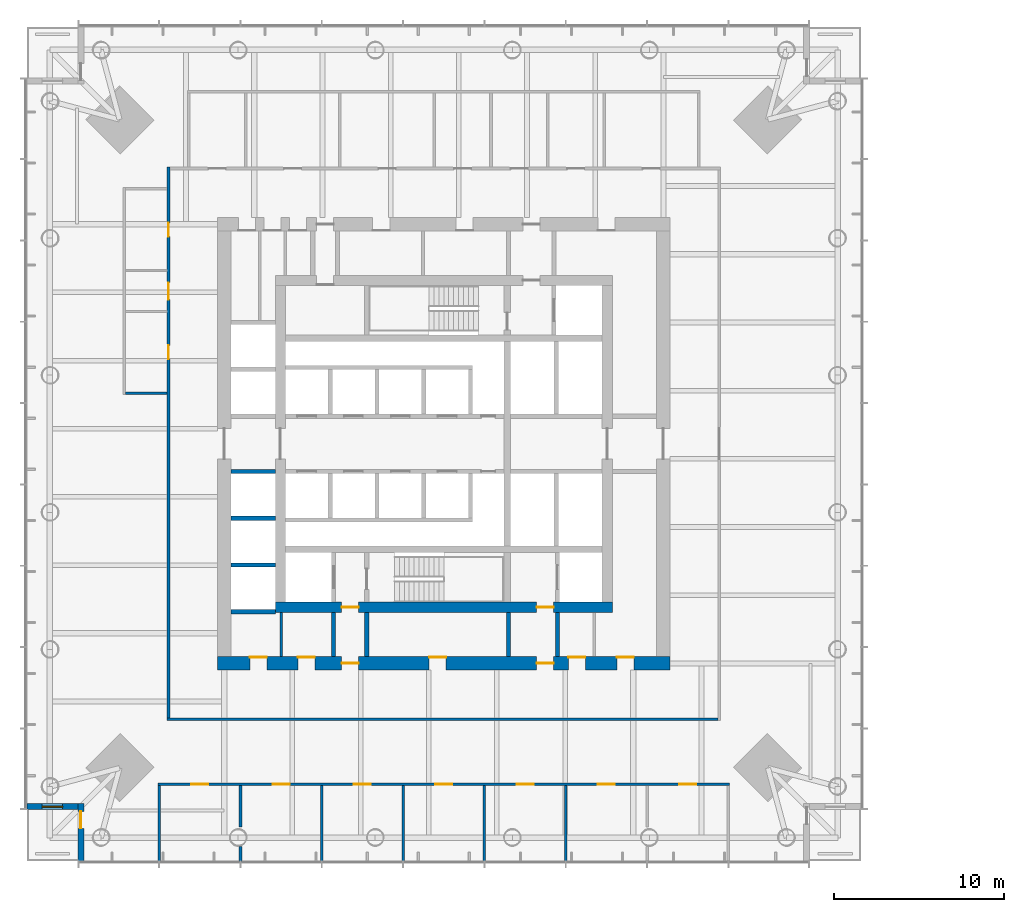
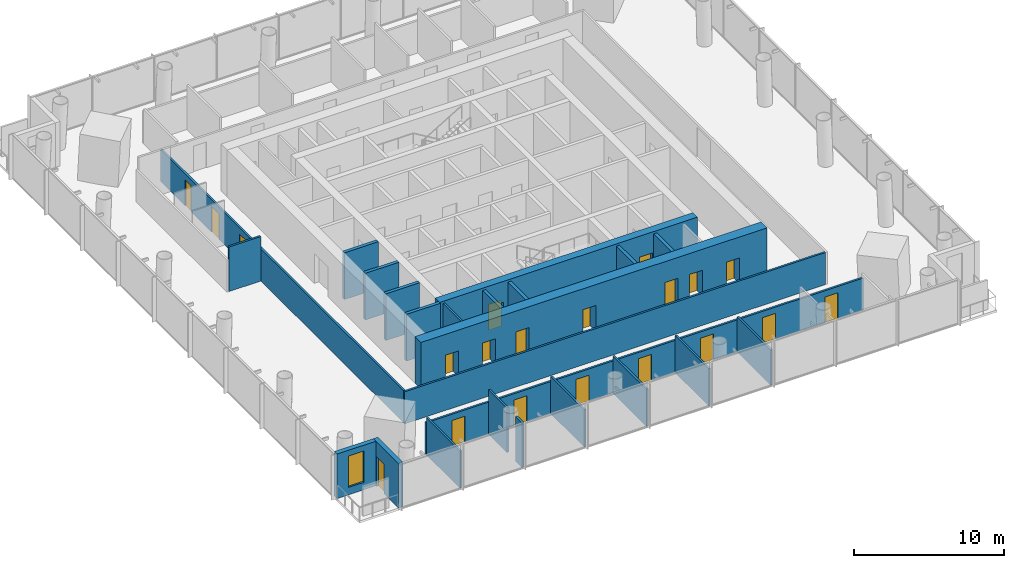
# One storey, part 10 of 21: 24 walls, 20 doors, 1 window, 21 openings.
"""IFC4 building model written with IfcOpenShell, lengths in metres."""

from ifc_helpers import new_model, si_unit, direction, frame, frame_2d, origin, place, context, subcontext, project, spatial, rectangle, extrude, material, layer, layer_set, type_object, element, fill, save


model = new_model("IFC4")

# Units and contexts
model_context = context("Model", 3, precision=1e-05, world=origin(), true_north=direction((0.0, 1.0)))
body_context = subcontext(model_context, "Body", "Model", "MODEL_VIEW")
ifc_project = project(units=[si_unit("LENGTHUNIT", "METRE"), si_unit("AREAUNIT", "SQUARE_METRE"), si_unit("VOLUMEUNIT", "CUBIC_METRE"), si_unit("PLANEANGLEUNIT", "RADIAN"), si_unit("MASSUNIT", "GRAM", prefix="KILO")], contexts=[model_context])

# Site, building, storey
site_placement = place(None, origin())
site = spatial("IfcSite", under=ifc_project, at=site_placement, CompositionType="ELEMENT")
building_placement = place(site_placement, origin())
building = spatial("IfcBuilding", under=site, at=building_placement, Name="Ostroluk Exchange", CompositionType="ELEMENT")
storey_placement = place(building_placement, frame((0.0, 0.0, 47.60009765625)))
storey = spatial("IfcBuildingStorey", under=building, at=storey_placement, Name="L11", CompositionType="ELEMENT", Elevation=47.60009765625)

# Walls
ifc_material_1 = material(Name="Concrete blockwork", Category="masonry")
ifc_layer_1 = layer(ifc_material_1, 0.14990234375)
ifc_layer_set_1 = layer_set([ifc_layer_1], Name="Blockwork plant room wall 150")
wall_type_1 = type_object("IfcWallType", Name="Blockwork plant room wall 150", PredefinedType="SOLIDWALL", material=ifc_layer_set_1)
wall_1_placement = place(storey_placement, frame((35.449951171875, 33.5, 0.0), z_axis=(0.0, 0.0, 1.0), x_axis=(0.0, 1.0, 0.0)))
element("IfcWall", 1, at=wall_1_placement, inside=storey, type_object=wall_type_1, Name="Core room wall", PredefinedType="SOLIDWALL", context=body_context, shape_type="SweptSolid", body=[
    extrude(rectangle(XDim=2.60009765625, YDim=0.14990234375, at=frame_2d((1.300048828125, 0.0))), origin(), (0.0, 0.0, 1.0), 3.619873046875),
])
ifc_material_2 = material(Name="Concrete blockwork", Category="masonry")
ifc_layer_2 = layer(ifc_material_2, 0.25)
ifc_layer_set_2 = layer_set([ifc_layer_2], Name="Blockwork stair enclosure wall 250")
wall_type_2 = type_object("IfcWallType", Name="Blockwork stair enclosure wall 250", PredefinedType="SOLIDWALL", material=ifc_layer_set_2)
for number, where, z_axis, x_axis, name in (
    (2, (38.52490234375, 33.5, 0.0), (0.0, 0.0, 1.0), (0.0, 1.0, 0.0), "Fire lobby enclosure wall"),
    (3, (40.47509765625, 33.5, 0.0), (0.0, 0.0, 1.0), (0.0, 1.0, 0.0), "Fire lobby enclosure wall"),
    (4, (48.804931640625, 33.5, 0.0), (0.0, 0.0, 1.0), (0.0, 1.0, 0.0), "Service lobby enclosure wall"),
    (5, (51.675048828125, 33.5, 0.0), (0.0, 0.0, 1.0), (0.0, 1.0, 0.0), "Service lobby enclosure wall"),
):
    element("IfcWall", number, at=place(storey_placement, frame(where, z_axis=z_axis, x_axis=x_axis)), inside=storey, type_object=wall_type_2, Name=name, PredefinedType="SOLIDWALL", context=body_context, shape_type="SweptSolid", body=[
        extrude(rectangle(XDim=2.60009765625, YDim=0.25, at=frame_2d((1.300048828125, 0.0))), origin(), (0.0, 0.0, 1.0), 3.619873046875),
    ])
ifc_material_3 = material(Name="Concrete C40/50", Category="concrete")
ifc_layer_3 = layer(ifc_material_3, 0.25)
ifc_layer_set_3 = layer_set([ifc_layer_3], Name="Core shaft wall 250")
wall_type_3 = type_object("IfcWallType", Name="Core shaft wall 250", PredefinedType="SHEAR", material=ifc_layer_set_3)
for number, where, z_axis, x_axis, name in (
    (6, (32.5, 36.125, 0.0), (0.0, 0.0, 1.0), (1.0, 0.0, 0.0), "Lift shaft wall"),
    (7, (32.5, 38.875, 0.0), (0.0, 0.0, 1.0), (1.0, 0.0, 0.0), "Lift shaft wall"),
    (8, (32.5, 41.625, 0.0), (0.0, 0.0, 1.0), (1.0, 0.0, 0.0), "Lift shaft wall"),
    (9, (32.5, 44.375, 0.0), (0.0, 0.0, 1.0), (1.0, 0.0, 0.0), "Lift shaft wall"),
):
    element("IfcWall", number, at=place(storey_placement, frame(where, z_axis=z_axis, x_axis=x_axis)), inside=storey, type_object=wall_type_3, Name=name, PredefinedType="SHEAR", context=body_context, shape_type="SweptSolid", body=[
        extrude(rectangle(XDim=2.60009765625, YDim=0.25, at=frame_2d((1.300048828125, 0.0))), origin(), (0.0, 0.0, 1.0), 3.7998046875),
    ])

# Wall, openings, doors
ifc_material_4 = material(Name="Concrete C50/60", Category="concrete")
ifc_layer_4 = layer(ifc_material_4, 0.60009765625)
ifc_layer_set_4 = layer_set([ifc_layer_4], Name="Core wall 600 C50/60")
wall_type_4 = type_object("IfcWallType", Name="Core wall 600 C50/60", PredefinedType="SHEAR", material=ifc_layer_set_4)
wall_2_placement = place(storey_placement, frame((35.10009765625, 36.39990234375, 0.0), z_axis=(0.0, 0.0, 1.0), x_axis=(1.0, 0.0, 0.0)))
wall_2 = element("IfcWall", 10, at=wall_2_placement, inside=storey, type_object=wall_type_4, Name="T1 core wall S", PredefinedType="SHEAR", context=body_context, shape_type="SweptSolid", body=[
    extrude(rectangle(XDim=19.7998046875, YDim=0.60009765625, at=frame_2d((9.89990234375, 0.0))), origin(), (0.0, 0.0, 1.0), 3.7998046875),
])
opening_1_placement = place(wall_2_placement, frame((3.89990234375, 0.0, 0.0)))
opening_1 = element("IfcOpeningElement", 11, at=opening_1_placement, cuts=wall_2, Name="Opening FD60", PredefinedType="OPENING", context=body_context, shape_type="SweptSolid", body=[
    extrude(rectangle(XDim=1.0, YDim=2.10009765625, at=frame_2d((0.5, 1.050048828125))), frame((0.0, 0.31005859375, 0.0), z_axis=(0.0, -1.0, 0.0), x_axis=(1.0, 0.0, 0.0)), (0.0, 0.0, 1.0), 0.6201171875),
])
opening_2_placement = place(wall_2_placement, frame((15.35009765625, 0.0, 0.0)))
opening_2 = element("IfcOpeningElement", 12, at=opening_2_placement, cuts=wall_2, Name="Opening FD60", PredefinedType="OPENING", context=body_context, shape_type="SweptSolid", body=[
    extrude(rectangle(XDim=1.0, YDim=2.10009765625, at=frame_2d((0.5, 1.050048828125))), frame((0.0, 0.31005859375, 0.0), z_axis=(0.0, -1.0, 0.0), x_axis=(1.0, 0.0, 0.0)), (0.0, 0.0, 1.0), 0.6201171875),
])
ifc_material_5 = material(Name="Steel", Category="steel")
door_type_1 = type_object("IfcDoorType", Name="Fire door EI 60 1000 x 2100", OperationType="SINGLE_SWING_LEFT", PredefinedType="DOOR", material=ifc_material_5)
door_1_placement = place(opening_1_placement, origin())
door_1 = element("IfcDoor", 13, at=door_1_placement, inside=storey, type_object=door_type_1, Name="Firefighting lobby door", OperationType="SINGLE_SWING_LEFT", OverallHeight=2.10009765625, OverallWidth=1.0, PredefinedType="DOOR", context=body_context, shape_type="SweptSolid", body=[
    extrude(rectangle(XDim=1.0, YDim=2.10009765625, at=frame_2d((0.5, 1.050048828125))), frame((0.0, 0.02490234375, 0.0), z_axis=(0.0, -1.0, 0.0), x_axis=(1.0, 0.0, 0.0)), (0.0, 0.0, 1.0), 0.050048828125),
])
fill(opening_1, door_1)
door_2_placement = place(opening_2_placement, origin())
door_2 = element("IfcDoor", 14, at=door_2_placement, inside=storey, type_object=door_type_1, Name="Service lobby door", OperationType="SINGLE_SWING_RIGHT", OverallHeight=2.10009765625, OverallWidth=1.0, PredefinedType="DOOR", context=body_context, shape_type="SweptSolid", body=[
    extrude(rectangle(XDim=1.0, YDim=2.10009765625, at=frame_2d((0.5, 1.050048828125))), frame((0.0, 0.02490234375, 0.0), z_axis=(0.0, -1.0, 0.0), x_axis=(1.0, 0.0, 0.0)), (0.0, 0.0, 1.0), 0.050048828125),
])
fill(opening_2, door_2)

ifc_material_6 = material(Name="Concrete C50/60", Category="concrete")
ifc_layer_5 = layer(ifc_material_6, 0.800048828125)
ifc_layer_set_5 = layer_set([ifc_layer_5], Name="Core wall 800 C50/60")
wall_type_5 = type_object("IfcWallType", Name="Core wall 800 C50/60", PredefinedType="SHEAR", material=ifc_layer_set_5)
wall_3_placement = place(storey_placement, frame((31.699951171875, 33.10009765625, 0.0), z_axis=(0.0, 0.0, 1.0), x_axis=(1.0, 0.0, 0.0)))
wall_3 = element("IfcWall", 15, at=wall_3_placement, inside=storey, type_object=wall_type_5, Name="T1 core wall RS", PredefinedType="SHEAR", context=body_context, shape_type="SweptSolid", body=[
    extrude(rectangle(XDim=26.60009765625, YDim=0.800048828125, at=frame_2d((13.300048828125, 0.0))), origin(), (0.0, 0.0, 1.0), 3.7998046875),
])
opening_3_placement = place(wall_3_placement, frame((7.300048828125, 0.0, 0.0)))
opening_3 = element("IfcOpeningElement", 16, at=opening_3_placement, cuts=wall_3, Name="Opening FD60", PredefinedType="OPENING", context=body_context, shape_type="SweptSolid", body=[
    extrude(rectangle(XDim=1.0, YDim=2.10009765625, at=frame_2d((0.5, 1.050048828125))), frame((0.0, 0.409912109375, 0.0), z_axis=(0.0, -1.0, 0.0), x_axis=(1.0, 0.0, 0.0)), (0.0, 0.0, 1.0), 0.820068359375),
])
opening_4_placement = place(wall_3_placement, frame((18.75, 0.0, 0.0)))
opening_4 = element("IfcOpeningElement", 17, at=opening_4_placement, cuts=wall_3, Name="Opening FD60", PredefinedType="OPENING", context=body_context, shape_type="SweptSolid", body=[
    extrude(rectangle(XDim=1.0, YDim=2.10009765625, at=frame_2d((0.5, 1.050048828125))), frame((0.0, 0.409912109375, 0.0), z_axis=(0.0, -1.0, 0.0), x_axis=(1.0, 0.0, 0.0)), (0.0, 0.0, 1.0), 0.820068359375),
])
opening_5_placement = place(wall_3_placement, frame((1.89990234375, 0.0, 0.0)))
opening_5 = element("IfcOpeningElement", 18, at=opening_5_placement, cuts=wall_3, Name="Opening FD60", PredefinedType="OPENING", context=body_context, shape_type="SweptSolid", body=[
    extrude(rectangle(XDim=1.0, YDim=2.10009765625, at=frame_2d((0.5, 1.050048828125))), frame((0.0, 0.409912109375, 0.0), z_axis=(0.0, -1.0, 0.0), x_axis=(1.0, 0.0, 0.0)), (0.0, 0.0, 1.0), 0.820068359375),
])
opening_6_placement = place(wall_3_placement, frame((4.72509765625, 0.0, 0.0)))
opening_6 = element("IfcOpeningElement", 19, at=opening_6_placement, cuts=wall_3, Name="Opening FD60", PredefinedType="OPENING", context=body_context, shape_type="SweptSolid", body=[
    extrude(rectangle(XDim=1.0, YDim=2.10009765625, at=frame_2d((0.5, 1.050048828125))), frame((0.0, 0.409912109375, 0.0), z_axis=(0.0, -1.0, 0.0), x_axis=(1.0, 0.0, 0.0)), (0.0, 0.0, 1.0), 0.820068359375),
])
opening_7_placement = place(wall_3_placement, frame((12.43994140625, 0.0, 0.0)))
opening_7 = element("IfcOpeningElement", 20, at=opening_7_placement, cuts=wall_3, Name="Opening FD60", PredefinedType="OPENING", context=body_context, shape_type="SweptSolid", body=[
    extrude(rectangle(XDim=1.0, YDim=2.10009765625, at=frame_2d((0.5, 1.050048828125))), frame((0.0, 0.409912109375, 0.0), z_axis=(0.0, -1.0, 0.0), x_axis=(1.0, 0.0, 0.0)), (0.0, 0.0, 1.0), 0.820068359375),
])
opening_8_placement = place(wall_3_placement, frame((20.6259765625, 0.0, 0.0)))
opening_8 = element("IfcOpeningElement", 21, at=opening_8_placement, cuts=wall_3, Name="Opening FD60", PredefinedType="OPENING", context=body_context, shape_type="SweptSolid", body=[
    extrude(rectangle(XDim=1.0, YDim=2.10009765625, at=frame_2d((0.5, 1.050048828125))), frame((0.0, 0.409912109375, 0.0), z_axis=(0.0, -1.0, 0.0), x_axis=(1.0, 0.0, 0.0)), (0.0, 0.0, 1.0), 0.820068359375),
])
opening_9_placement = place(wall_3_placement, frame((23.47607421875, 0.0, 0.0)))
opening_9 = element("IfcOpeningElement", 22, at=opening_9_placement, cuts=wall_3, Name="Opening FD60", PredefinedType="OPENING", context=body_context, shape_type="SweptSolid", body=[
    extrude(rectangle(XDim=1.0, YDim=2.10009765625, at=frame_2d((0.5, 1.050048828125))), frame((0.0, 0.409912109375, 0.0), z_axis=(0.0, -1.0, 0.0), x_axis=(1.0, 0.0, 0.0)), (0.0, 0.0, 1.0), 0.820068359375),
])
door_3_placement = place(opening_3_placement, origin())
door_3 = element("IfcDoor", 23, at=door_3_placement, inside=storey, type_object=door_type_1, Name="Firefighting lobby door", OperationType="SINGLE_SWING_LEFT", OverallHeight=2.10009765625, OverallWidth=1.0, PredefinedType="DOOR", context=body_context, shape_type="SweptSolid", body=[
    extrude(rectangle(XDim=1.0, YDim=2.10009765625, at=frame_2d((0.5, 1.050048828125))), frame((0.0, 0.02490234375, 0.0), z_axis=(0.0, -1.0, 0.0), x_axis=(1.0, 0.0, 0.0)), (0.0, 0.0, 1.0), 0.050048828125),
])
fill(opening_3, door_3)
door_4_placement = place(opening_4_placement, origin())
door_4 = element("IfcDoor", 24, at=door_4_placement, inside=storey, type_object=door_type_1, Name="Service lobby door", OperationType="SINGLE_SWING_RIGHT", OverallHeight=2.10009765625, OverallWidth=1.0, PredefinedType="DOOR", context=body_context, shape_type="SweptSolid", body=[
    extrude(rectangle(XDim=1.0, YDim=2.10009765625, at=frame_2d((0.5, 1.050048828125))), frame((0.0, 0.02490234375, 0.0), z_axis=(0.0, -1.0, 0.0), x_axis=(1.0, 0.0, 0.0)), (0.0, 0.0, 1.0), 0.050048828125),
])
fill(opening_4, door_4)
door_5_placement = place(opening_5_placement, origin())
door_5 = element("IfcDoor", 25, at=door_5_placement, inside=storey, type_object=door_type_1, Name="Archive door", OperationType="SINGLE_SWING_LEFT", OverallHeight=2.10009765625, OverallWidth=1.0, PredefinedType="DOOR", context=body_context, shape_type="SweptSolid", body=[
    extrude(rectangle(XDim=1.0, YDim=2.10009765625, at=frame_2d((0.5, 1.050048828125))), frame((0.0, 0.39013671875, 0.0), z_axis=(0.0, -1.0, 0.0), x_axis=(1.0, 0.0, 0.0)), (0.0, 0.0, 1.0), 0.050048828125),
])
fill(opening_5, door_5)
door_6_placement = place(opening_6_placement, origin())
door_6 = element("IfcDoor", 26, at=door_6_placement, inside=storey, type_object=door_type_1, Name="Tenant IT room door", OperationType="SINGLE_SWING_LEFT", OverallHeight=2.10009765625, OverallWidth=1.0, PredefinedType="DOOR", context=body_context, shape_type="SweptSolid", body=[
    extrude(rectangle(XDim=1.0, YDim=2.10009765625, at=frame_2d((0.5, 1.050048828125))), frame((0.0, 0.39013671875, 0.0), z_axis=(0.0, -1.0, 0.0), x_axis=(1.0, 0.0, 0.0)), (0.0, 0.0, 1.0), 0.050048828125),
])
fill(opening_6, door_6)
door_7_placement = place(opening_7_placement, origin())
door_7 = element("IfcDoor", 27, at=door_7_placement, inside=storey, type_object=door_type_1, Name="Tea point door", OperationType="SINGLE_SWING_LEFT", OverallHeight=2.10009765625, OverallWidth=1.0, PredefinedType="DOOR", context=body_context, shape_type="SweptSolid", body=[
    extrude(rectangle(XDim=1.0, YDim=2.10009765625, at=frame_2d((0.5, 1.050048828125))), frame((0.0, 0.39013671875, 0.0), z_axis=(0.0, -1.0, 0.0), x_axis=(1.0, 0.0, 0.0)), (0.0, 0.0, 1.0), 0.050048828125),
])
fill(opening_7, door_7)
door_8_placement = place(opening_8_placement, origin())
door_8 = element("IfcDoor", 28, at=door_8_placement, inside=storey, type_object=door_type_1, Name="Store door", OperationType="SINGLE_SWING_RIGHT", OverallHeight=2.10009765625, OverallWidth=1.0, PredefinedType="DOOR", context=body_context, shape_type="SweptSolid", body=[
    extrude(rectangle(XDim=1.0, YDim=2.10009765625, at=frame_2d((0.5, 1.050048828125))), frame((0.0, 0.39013671875, 0.0), z_axis=(0.0, -1.0, 0.0), x_axis=(1.0, 0.0, 0.0)), (0.0, 0.0, 1.0), 0.050048828125),
])
fill(opening_8, door_8)
door_9_placement = place(opening_9_placement, origin())
door_9 = element("IfcDoor", 29, at=door_9_placement, inside=storey, type_object=door_type_1, Name="First aid room door", OperationType="SINGLE_SWING_RIGHT", OverallHeight=2.10009765625, OverallWidth=1.0, PredefinedType="DOOR", context=body_context, shape_type="SweptSolid", body=[
    extrude(rectangle(XDim=1.0, YDim=2.10009765625, at=frame_2d((0.5, 1.050048828125))), frame((0.0, 0.39013671875, 0.0), z_axis=(0.0, -1.0, 0.0), x_axis=(1.0, 0.0, 0.0)), (0.0, 0.0, 1.0), 0.050048828125),
])
fill(opening_9, door_9)

# Wall, opening, door
ifc_material_7 = material(Name="Limestone", Category="masonry")
ifc_layer_6 = layer(ifc_material_7, 0.35009765625)
ifc_layer_set_6 = layer_set([ifc_layer_6], Name="Limestone facade wall 350")
wall_type_6 = type_object("IfcWallType", Name="Limestone facade wall 350", PredefinedType="SOLIDWALL", material=ifc_layer_set_6)
wall_4_placement = place(storey_placement, frame((23.675048828125, 21.5, 0.0), z_axis=(0.0, 0.0, 1.0), x_axis=(0.0, 1.0, 0.0)))
wall_4 = element("IfcWall", 30, at=wall_4_placement, inside=storey, type_object=wall_type_6, Name="Office tower SW corner wall L11 a", PredefinedType="SOLIDWALL", context=body_context, shape_type="SweptSolid", body=[
    extrude(rectangle(XDim=3.35009765625, YDim=0.35009765625, at=frame_2d((1.675048828125, 0.0))), origin(), (0.0, 0.0, 1.0), 3.619873046875),
])
opening_10_placement = place(wall_4_placement, frame((1.89990234375, 0.0, 0.0)))
opening_10 = element("IfcOpeningElement", 31, at=opening_10_placement, cuts=wall_4, Name="Opening D-B1", PredefinedType="OPENING", context=body_context, shape_type="SweptSolid", body=[
    extrude(rectangle(XDim=1.0, YDim=2.39990234375, at=frame_2d((0.5, 1.199951171875))), frame((0.0, 0.18505859375, 0.0), z_axis=(0.0, -1.0, 0.0), x_axis=(1.0, 0.0, 0.0)), (0.0, 0.0, 1.0), 0.3701171875),
])
ifc_material_8 = material(Name="Bronze framed glazed door", Category="aluminium")
door_type_2 = type_object("IfcDoorType", Name="Balcony door 1000 x 2400", OperationType="SINGLE_SWING_LEFT", PredefinedType="DOOR", material=ifc_material_8)
door_10_placement = place(opening_10_placement, origin())
door_10 = element("IfcDoor", 32, at=door_10_placement, inside=storey, type_object=door_type_2, Name="Office tower SW balcony door L11", OperationType="SINGLE_SWING_RIGHT", OverallHeight=2.39990234375, OverallWidth=1.0, PredefinedType="DOOR", context=body_context, shape_type="SweptSolid", body=[
    extrude(rectangle(XDim=1.0, YDim=2.39990234375, at=frame_2d((0.5, 1.199951171875))), frame((0.0, 0.02490234375, 0.0), z_axis=(0.0, -1.0, 0.0), x_axis=(1.0, 0.0, 0.0)), (0.0, 0.0, 1.0), 0.050048828125),
])
fill(opening_10, door_10)

# Wall, opening, window
wall_5_placement = place(storey_placement, frame((23.5, 24.675048828125, 0.0), z_axis=(0.0, 0.0, 1.0), x_axis=(-1.0, 0.0, 0.0)))
wall_5 = element("IfcWall", 33, at=wall_5_placement, inside=storey, type_object=wall_type_6, Name="Office tower SW corner wall L11 b", PredefinedType="SOLIDWALL", context=body_context, shape_type="SweptSolid", body=[
    extrude(rectangle(XDim=3.0, YDim=0.35009765625, at=frame_2d((1.5, 0.0))), origin(), (0.0, 0.0, 1.0), 3.619873046875),
])
opening_11_placement = place(wall_5_placement, frame((0.89990234375, 0.0, 0.60009765625)))
opening_11 = element("IfcOpeningElement", 34, at=opening_11_placement, cuts=wall_5, Name="Opening WN-L1", PredefinedType="OPENING", context=body_context, shape_type="SweptSolid", body=[
    extrude(rectangle(XDim=1.199951171875, YDim=2.550048828125, at=frame_2d((0.60009765625, 1.27490234375))), frame((0.0, 0.18505859375, 0.0), z_axis=(0.0, -1.0, 0.0), x_axis=(1.0, 0.0, 0.0)), (0.0, 0.0, 1.0), 0.3701171875),
])
ifc_material_9 = material(Name="Laminated clear glass", Category="glass")
window_type = type_object("IfcWindowType", Name="Lancet window 1200 x 2550", PartitioningType="SINGLE_PANEL", PredefinedType="WINDOW", material=ifc_material_9)
window_placement = place(opening_11_placement, origin())
window = element("IfcWindow", 35, at=window_placement, inside=storey, type_object=window_type, Name="Office tower SW lancet window L11", OverallHeight=2.550048828125, OverallWidth=1.199951171875, PartitioningType="SINGLE_PANEL", PredefinedType="WINDOW", context=body_context, shape_type="SweptSolid", body=[
    extrude(rectangle(XDim=1.199951171875, YDim=2.550048828125, at=frame_2d((0.60009765625, 1.27490234375))), frame((0.0, 0.030029296875, 0.0), z_axis=(0.0, -1.0, 0.0), x_axis=(1.0, 0.0, 0.0)), (0.0, 0.0, 1.0), 0.06005859375),
])
fill(opening_11, window)

# Wall, openings, doors
ifc_material_10 = material(Name="Gypsum plasterboard partition", Category="gypsum")
ifc_layer_7 = layer(ifc_material_10, 0.14990234375)
ifc_layer_set_7 = layer_set([ifc_layer_7], Name="Plasterboard partition 150")
wall_type_7 = type_object("IfcWallType", Name="Plasterboard partition 150", PredefinedType="PARTITIONING", material=ifc_layer_set_7)
wall_6_placement = place(storey_placement, frame((28.202880859375, 26.0, 0.0), z_axis=(0.0, 0.0, 1.0), x_axis=(1.0, 0.0, 0.0)))
wall_6 = element("IfcWall", 36, at=wall_6_placement, inside=storey, type_object=wall_type_7, Name="Partition", PredefinedType="PARTITIONING", context=body_context, shape_type="SweptSolid", body=[
    extrude(rectangle(XDim=33.59423828125, YDim=0.14990234375, at=frame_2d((16.797119140625, 0.0))), origin(), (0.0, 0.0, 1.0), 2.61181640625),
])
opening_12_placement = place(wall_6_placement, frame((1.9638671875, 0.0, 0.0)))
opening_12 = element("IfcOpeningElement", 37, at=opening_12_placement, cuts=wall_6, Name="Opening D-03", PredefinedType="OPENING", context=body_context, shape_type="SweptSolid", body=[
    extrude(rectangle(XDim=1.0, YDim=2.10009765625, at=frame_2d((0.5, 1.050048828125))), frame((0.0, 0.0849609375, 0.0), z_axis=(0.0, -1.0, 0.0), x_axis=(1.0, 0.0, 0.0)), (0.0, 0.0, 1.0), 0.169921875),
])
opening_13_placement = place(wall_6_placement, frame((6.74169921875, 0.0, 0.0)))
opening_13 = element("IfcOpeningElement", 38, at=opening_13_placement, cuts=wall_6, Name="Opening D-03", PredefinedType="OPENING", context=body_context, shape_type="SweptSolid", body=[
    extrude(rectangle(XDim=1.0, YDim=2.10009765625, at=frame_2d((0.5, 1.050048828125))), frame((0.0, 0.0849609375, 0.0), z_axis=(0.0, -1.0, 0.0), x_axis=(1.0, 0.0, 0.0)), (0.0, 0.0, 1.0), 0.169921875),
])
opening_14_placement = place(wall_6_placement, frame((11.51953125, 0.0, 0.0)))
opening_14 = element("IfcOpeningElement", 39, at=opening_14_placement, cuts=wall_6, Name="Opening D-03", PredefinedType="OPENING", context=body_context, shape_type="SweptSolid", body=[
    extrude(rectangle(XDim=1.0, YDim=2.10009765625, at=frame_2d((0.5, 1.050048828125))), frame((0.0, 0.0849609375, 0.0), z_axis=(0.0, -1.0, 0.0), x_axis=(1.0, 0.0, 0.0)), (0.0, 0.0, 1.0), 0.169921875),
])
opening_15_placement = place(wall_6_placement, frame((16.297119140625, 0.0, 0.0)))
opening_15 = element("IfcOpeningElement", 40, at=opening_15_placement, cuts=wall_6, Name="Opening D-03", PredefinedType="OPENING", context=body_context, shape_type="SweptSolid", body=[
    extrude(rectangle(XDim=1.0, YDim=2.10009765625, at=frame_2d((0.5, 1.050048828125))), frame((0.0, 0.0849609375, 0.0), z_axis=(0.0, -1.0, 0.0), x_axis=(1.0, 0.0, 0.0)), (0.0, 0.0, 1.0), 0.169921875),
])
opening_16_placement = place(wall_6_placement, frame((21.074951171875, 0.0, 0.0)))
opening_16 = element("IfcOpeningElement", 41, at=opening_16_placement, cuts=wall_6, Name="Opening D-03", PredefinedType="OPENING", context=body_context, shape_type="SweptSolid", body=[
    extrude(rectangle(XDim=1.0, YDim=2.10009765625, at=frame_2d((0.5, 1.050048828125))), frame((0.0, 0.0849609375, 0.0), z_axis=(0.0, -1.0, 0.0), x_axis=(1.0, 0.0, 0.0)), (0.0, 0.0, 1.0), 0.169921875),
])
opening_17_placement = place(wall_6_placement, frame((25.852783203125, 0.0, 0.0)))
opening_17 = element("IfcOpeningElement", 42, at=opening_17_placement, cuts=wall_6, Name="Opening D-03", PredefinedType="OPENING", context=body_context, shape_type="SweptSolid", body=[
    extrude(rectangle(XDim=1.0, YDim=2.10009765625, at=frame_2d((0.5, 1.050048828125))), frame((0.0, 0.0849609375, 0.0), z_axis=(0.0, -1.0, 0.0), x_axis=(1.0, 0.0, 0.0)), (0.0, 0.0, 1.0), 0.169921875),
])
opening_18_placement = place(wall_6_placement, frame((30.630615234375, 0.0, 0.0)))
opening_18 = element("IfcOpeningElement", 43, at=opening_18_placement, cuts=wall_6, Name="Opening D-03", PredefinedType="OPENING", context=body_context, shape_type="SweptSolid", body=[
    extrude(rectangle(XDim=1.0, YDim=2.10009765625, at=frame_2d((0.5, 1.050048828125))), frame((0.0, 0.0849609375, 0.0), z_axis=(0.0, -1.0, 0.0), x_axis=(1.0, 0.0, 0.0)), (0.0, 0.0, 1.0), 0.169921875),
])
ifc_material_11 = material(Name="Timber", Category="wood")
door_type_3 = type_object("IfcDoorType", Name="Internal door 1000 x 2100", OperationType="SINGLE_SWING_LEFT", PredefinedType="DOOR", material=ifc_material_11)
door_11_placement = place(opening_12_placement, origin())
door_11 = element("IfcDoor", 44, at=door_11_placement, inside=storey, type_object=door_type_3, Name="Office door", OperationType="SINGLE_SWING_LEFT", OverallHeight=2.10009765625, OverallWidth=1.0, PredefinedType="DOOR", context=body_context, shape_type="SweptSolid", body=[
    extrude(rectangle(XDim=1.0, YDim=2.10009765625, at=frame_2d((0.5, 1.050048828125))), frame((0.0, 0.02490234375, 0.0), z_axis=(0.0, -1.0, 0.0), x_axis=(1.0, 0.0, 0.0)), (0.0, 0.0, 1.0), 0.050048828125),
])
fill(opening_12, door_11)
door_12_placement = place(opening_13_placement, origin())
door_12 = element("IfcDoor", 45, at=door_12_placement, inside=storey, type_object=door_type_3, Name="Office door", OperationType="SINGLE_SWING_LEFT", OverallHeight=2.10009765625, OverallWidth=1.0, PredefinedType="DOOR", context=body_context, shape_type="SweptSolid", body=[
    extrude(rectangle(XDim=1.0, YDim=2.10009765625, at=frame_2d((0.5, 1.050048828125))), frame((0.0, 0.02490234375, 0.0), z_axis=(0.0, -1.0, 0.0), x_axis=(1.0, 0.0, 0.0)), (0.0, 0.0, 1.0), 0.050048828125),
])
fill(opening_13, door_12)
door_13_placement = place(opening_14_placement, origin())
door_13 = element("IfcDoor", 46, at=door_13_placement, inside=storey, type_object=door_type_3, Name="Office door", OperationType="SINGLE_SWING_LEFT", OverallHeight=2.10009765625, OverallWidth=1.0, PredefinedType="DOOR", context=body_context, shape_type="SweptSolid", body=[
    extrude(rectangle(XDim=1.0, YDim=2.10009765625, at=frame_2d((0.5, 1.050048828125))), frame((0.0, 0.02490234375, 0.0), z_axis=(0.0, -1.0, 0.0), x_axis=(1.0, 0.0, 0.0)), (0.0, 0.0, 1.0), 0.050048828125),
])
fill(opening_14, door_13)
door_14_placement = place(opening_15_placement, origin())
door_14 = element("IfcDoor", 47, at=door_14_placement, inside=storey, type_object=door_type_3, Name="Office door", OperationType="SINGLE_SWING_RIGHT", OverallHeight=2.10009765625, OverallWidth=1.0, PredefinedType="DOOR", context=body_context, shape_type="SweptSolid", body=[
    extrude(rectangle(XDim=1.0, YDim=2.10009765625, at=frame_2d((0.5, 1.050048828125))), frame((0.0, 0.02490234375, 0.0), z_axis=(0.0, -1.0, 0.0), x_axis=(1.0, 0.0, 0.0)), (0.0, 0.0, 1.0), 0.050048828125),
])
fill(opening_15, door_14)
door_15_placement = place(opening_16_placement, origin())
door_15 = element("IfcDoor", 48, at=door_15_placement, inside=storey, type_object=door_type_3, Name="Office door", OperationType="SINGLE_SWING_RIGHT", OverallHeight=2.10009765625, OverallWidth=1.0, PredefinedType="DOOR", context=body_context, shape_type="SweptSolid", body=[
    extrude(rectangle(XDim=1.0, YDim=2.10009765625, at=frame_2d((0.5, 1.050048828125))), frame((0.0, 0.02490234375, 0.0), z_axis=(0.0, -1.0, 0.0), x_axis=(1.0, 0.0, 0.0)), (0.0, 0.0, 1.0), 0.050048828125),
])
fill(opening_16, door_15)
door_16_placement = place(opening_17_placement, origin())
door_16 = element("IfcDoor", 49, at=door_16_placement, inside=storey, type_object=door_type_3, Name="Office door", OperationType="SINGLE_SWING_RIGHT", OverallHeight=2.10009765625, OverallWidth=1.0, PredefinedType="DOOR", context=body_context, shape_type="SweptSolid", body=[
    extrude(rectangle(XDim=1.0, YDim=2.10009765625, at=frame_2d((0.5, 1.050048828125))), frame((0.0, 0.02490234375, 0.0), z_axis=(0.0, -1.0, 0.0), x_axis=(1.0, 0.0, 0.0)), (0.0, 0.0, 1.0), 0.050048828125),
])
fill(opening_17, door_16)
door_17_placement = place(opening_18_placement, origin())
door_17 = element("IfcDoor", 50, at=door_17_placement, inside=storey, type_object=door_type_3, Name="Office door", OperationType="SINGLE_SWING_RIGHT", OverallHeight=2.10009765625, OverallWidth=1.0, PredefinedType="DOOR", context=body_context, shape_type="SweptSolid", body=[
    extrude(rectangle(XDim=1.0, YDim=2.10009765625, at=frame_2d((0.5, 1.050048828125))), frame((0.0, 0.02490234375, 0.0), z_axis=(0.0, -1.0, 0.0), x_axis=(1.0, 0.0, 0.0)), (0.0, 0.0, 1.0), 0.050048828125),
])
fill(opening_18, door_17)

# Walls
wall_7_placement = place(storey_placement, frame((28.27783203125, 25.925048828125, 0.0), z_axis=(0.0, 0.0, 1.0), x_axis=(0.0, -1.0, 0.0)))
element("IfcWall", 51, at=wall_7_placement, inside=storey, type_object=wall_type_7, Name="Partition", PredefinedType="PARTITIONING", context=body_context, shape_type="SweptSolid", body=[
    extrude(rectangle(XDim=4.465087890625, YDim=0.14990234375, at=frame_2d((2.232421875, 0.0))), origin(), (0.0, 0.0, 1.0), 3.02001953125),
])
wall_8_placement = place(storey_placement, frame((33.0556640625, 25.925048828125, 0.0), z_axis=(0.0, 0.0, 1.0), x_axis=(0.0, -1.0, 0.0)))
element("IfcWall", 52, at=wall_8_placement, inside=storey, type_object=wall_type_7, Name="Partition", PredefinedType="PARTITIONING", context=body_context, shape_type="SweptSolid", body=[
    extrude(rectangle(XDim=2.445556640625, YDim=0.14990234375, at=frame_2d((1.22265625, 0.0))), origin(), (0.0, 0.0, 1.0), 3.619873046875),
])
wall_9_placement = place(storey_placement, frame((33.0556640625, 22.342041015625, 0.0), z_axis=(0.0, 0.0, 1.0), x_axis=(0.0, -1.0, 0.0)))
element("IfcWall", 53, at=wall_9_placement, inside=storey, type_object=wall_type_7, Name="Partition", PredefinedType="PARTITIONING", context=body_context, shape_type="SweptSolid", body=[
    extrude(rectangle(XDim=0.882080078125, YDim=0.14990234375, at=frame_2d((0.44091796875, 0.0))), origin(), (0.0, 0.0, 1.0), 3.619873046875),
])
for number, where, z_axis, x_axis, name in (
    (54, (37.833251953125, 25.925048828125, 0.0), (0.0, 0.0, 1.0), (0.0, -1.0, 0.0), "Partition"),
    (55, (42.611083984375, 25.925048828125, 0.0), (0.0, 0.0, 1.0), (0.0, -1.0, 0.0), "Partition"),
    (56, (47.388916015625, 25.925048828125, 0.0), (0.0, 0.0, 1.0), (0.0, -1.0, 0.0), "Partition"),
):
    element("IfcWall", number, at=place(storey_placement, frame(where, z_axis=z_axis, x_axis=x_axis)), inside=storey, type_object=wall_type_7, Name=name, PredefinedType="PARTITIONING", context=body_context, shape_type="SweptSolid", body=[
        extrude(rectangle(XDim=4.465087890625, YDim=0.14990234375, at=frame_2d((2.232421875, 0.0))), origin(), (0.0, 0.0, 1.0), 3.02001953125),
    ])
wall_10_placement = place(storey_placement, frame((52.166748046875, 25.925048828125, 0.0), z_axis=(0.0, 0.0, 1.0), x_axis=(0.0, -1.0, 0.0)))
element("IfcWall", 57, at=wall_10_placement, inside=storey, type_object=wall_type_7, Name="Partition", PredefinedType="PARTITIONING", context=body_context, shape_type="SweptSolid", body=[
    extrude(rectangle(XDim=4.465087890625, YDim=0.14990234375, at=frame_2d((2.232421875, 0.0))), origin(), (0.0, 0.0, 1.0), 2.849853515625),
])

# Wall, openings, doors
wall_11_placement = place(storey_placement, frame((28.824951171875, 62.25, 0.0), z_axis=(0.0, 0.0, 1.0), x_axis=(0.0, -1.0, 0.0)))
wall_11 = element("IfcWall", 58, at=wall_11_placement, inside=storey, type_object=wall_type_7, Name="Corridor wall", PredefinedType="PARTITIONING", context=body_context, shape_type="SweptSolid", body=[
    extrude(rectangle(XDim=32.35009765625, YDim=0.14990234375, at=frame_2d((16.175048828125, 0.0))), origin(), (0.0, 0.0, 1.0), 2.61181640625),
])
opening_19_placement = place(wall_11_placement, frame((3.27490234375, 0.0, 0.0)))
opening_19 = element("IfcOpeningElement", 59, at=opening_19_placement, cuts=wall_11, Name="Opening D-06", PredefinedType="OPENING", context=body_context, shape_type="SweptSolid", body=[
    extrude(rectangle(XDim=0.800048828125, YDim=2.10009765625, at=frame_2d((0.39990234375, 1.050048828125))), frame((0.0, 0.0849609375, 0.0), z_axis=(0.0, -1.0, 0.0), x_axis=(1.0, 0.0, 0.0)), (0.0, 0.0, 1.0), 0.169921875),
])
opening_20_placement = place(wall_11_placement, frame((6.77490234375, 0.0, 0.0)))
opening_20 = element("IfcOpeningElement", 60, at=opening_20_placement, cuts=wall_11, Name="Opening D-03", PredefinedType="OPENING", context=body_context, shape_type="SweptSolid", body=[
    extrude(rectangle(XDim=1.0, YDim=2.10009765625, at=frame_2d((0.5, 1.050048828125))), frame((0.0, 0.0849609375, 0.0), z_axis=(0.0, -1.0, 0.0), x_axis=(1.0, 0.0, 0.0)), (0.0, 0.0, 1.0), 0.169921875),
])
opening_21_placement = place(wall_11_placement, frame((10.47509765625, 0.0, 0.0)))
opening_21 = element("IfcOpeningElement", 61, at=opening_21_placement, cuts=wall_11, Name="Opening D-06", PredefinedType="OPENING", context=body_context, shape_type="SweptSolid", body=[
    extrude(rectangle(XDim=0.800048828125, YDim=2.10009765625, at=frame_2d((0.39990234375, 1.050048828125))), frame((0.0, 0.0849609375, 0.0), z_axis=(0.0, -1.0, 0.0), x_axis=(1.0, 0.0, 0.0)), (0.0, 0.0, 1.0), 0.169921875),
])
door_18_placement = place(opening_20_placement, origin())
door_18 = element("IfcDoor", 62, at=door_18_placement, inside=storey, type_object=door_type_3, Name="Accessible WC door", OperationType="SINGLE_SWING_LEFT", OverallHeight=2.10009765625, OverallWidth=1.0, PredefinedType="DOOR", context=body_context, shape_type="SweptSolid", body=[
    extrude(rectangle(XDim=1.0, YDim=2.10009765625, at=frame_2d((0.5, 1.050048828125))), frame((0.0, 0.02490234375, 0.0), z_axis=(0.0, -1.0, 0.0), x_axis=(1.0, 0.0, 0.0)), (0.0, 0.0, 1.0), 0.050048828125),
])
fill(opening_20, door_18)
ifc_material_12 = material(Name="Timber", Category="wood")
door_type_4 = type_object("IfcDoorType", Name="Toilet door 800 x 2100", OperationType="SINGLE_SWING_LEFT", PredefinedType="DOOR", material=ifc_material_12)
door_19_placement = place(opening_19_placement, origin())
door_19 = element("IfcDoor", 63, at=door_19_placement, inside=storey, type_object=door_type_4, Name="WC female door", OperationType="SINGLE_SWING_LEFT", OverallHeight=2.10009765625, OverallWidth=0.800048828125, PredefinedType="DOOR", context=body_context, shape_type="SweptSolid", body=[
    extrude(rectangle(XDim=0.800048828125, YDim=2.10009765625, at=frame_2d((0.39990234375, 1.050048828125))), frame((0.0, 0.02490234375, 0.0), z_axis=(0.0, -1.0, 0.0), x_axis=(1.0, 0.0, 0.0)), (0.0, 0.0, 1.0), 0.050048828125),
])
fill(opening_19, door_19)
door_20_placement = place(opening_21_placement, origin())
door_20 = element("IfcDoor", 64, at=door_20_placement, inside=storey, type_object=door_type_4, Name="WC male door", OperationType="SINGLE_SWING_LEFT", OverallHeight=2.10009765625, OverallWidth=0.800048828125, PredefinedType="DOOR", context=body_context, shape_type="SweptSolid", body=[
    extrude(rectangle(XDim=0.800048828125, YDim=2.10009765625, at=frame_2d((0.39990234375, 1.050048828125))), frame((0.0, 0.02490234375, 0.0), z_axis=(0.0, -1.0, 0.0), x_axis=(1.0, 0.0, 0.0)), (0.0, 0.0, 1.0), 0.050048828125),
])
fill(opening_21, door_20)

# Walls
wall_12_placement = place(storey_placement, frame((28.75, 29.824951171875, 0.0), z_axis=(0.0, 0.0, 1.0), x_axis=(1.0, 0.0, 0.0)))
element("IfcWall", 65, at=wall_12_placement, inside=storey, type_object=wall_type_7, Name="Corridor wall", PredefinedType="PARTITIONING", context=body_context, shape_type="SweptSolid", body=[
    extrude(rectangle(XDim=32.35009765625, YDim=0.14990234375, at=frame_2d((16.175048828125, 0.0))), origin(), (0.0, 0.0, 1.0), 2.61181640625),
])
ifc_material_13 = material(Name="Gypsum plasterboard partition, moisture resistant", Category="gypsum")
ifc_layer_8 = layer(ifc_material_13, 0.14990234375)
ifc_layer_set_8 = layer_set([ifc_layer_8], Name="Plasterboard toilet partition 150")
wall_type_8 = type_object("IfcWallType", Name="Plasterboard toilet partition 150", PredefinedType="PARTITIONING", material=ifc_layer_set_8)
wall_13_placement = place(storey_placement, frame((28.75, 48.97509765625, 0.0), z_axis=(0.0, 0.0, 1.0), x_axis=(-1.0, 0.0, 0.0)))
element("IfcWall", 66, at=wall_13_placement, inside=storey, type_object=wall_type_8, Name="Toilet partition", PredefinedType="PARTITIONING", context=body_context, shape_type="SweptSolid", body=[
    extrude(rectangle(XDim=2.449951171875, YDim=0.14990234375, at=frame_2d((1.22509765625, 0.0))), origin(), (0.0, 0.0, 1.0), 3.619873046875),
])

save(model, "model.ifc")
